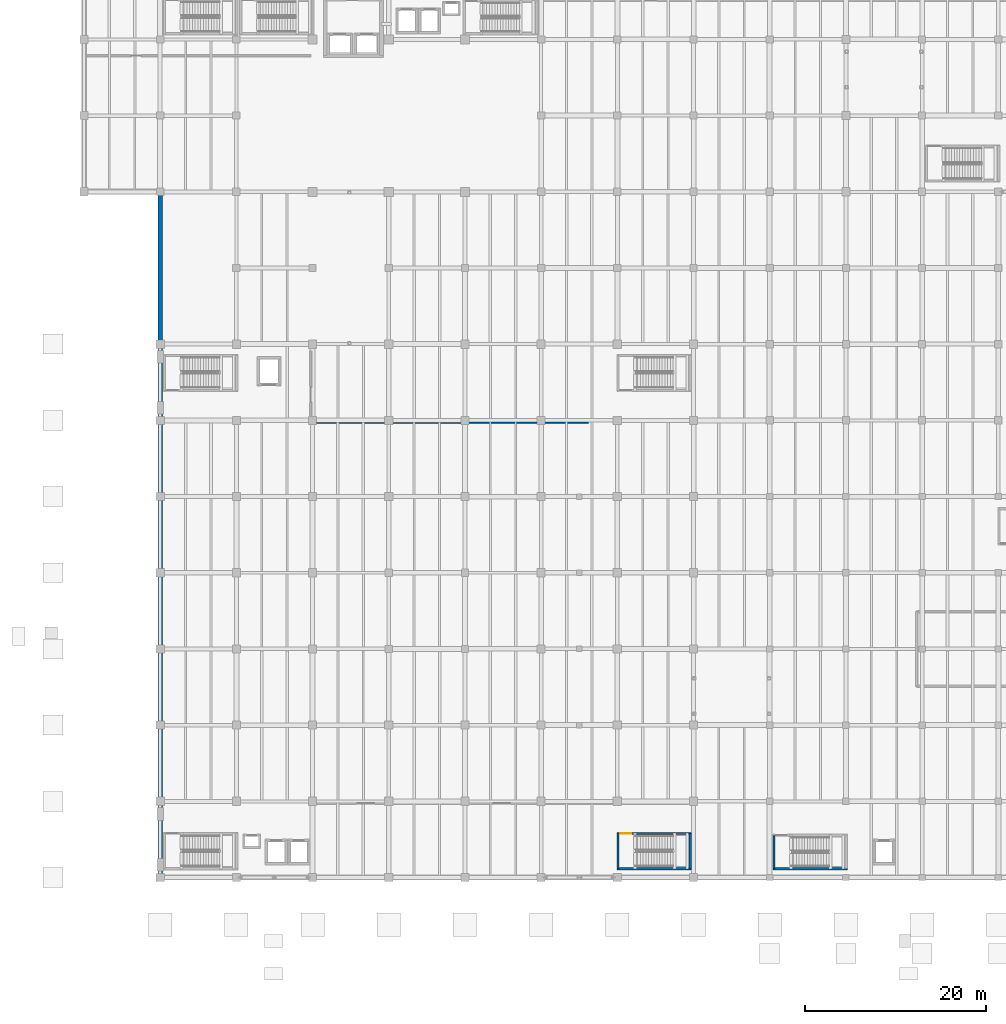
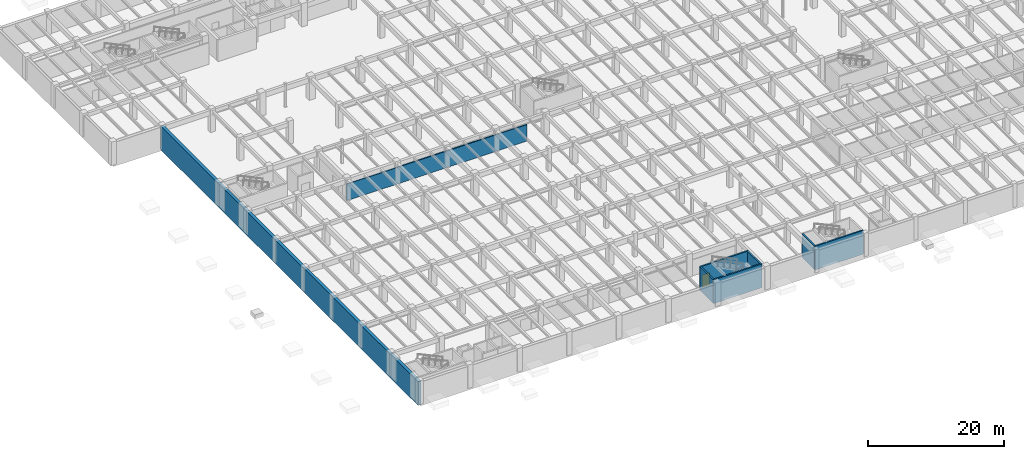
# One storey, part 35 of 63: 8 walls, 1 door, 1 opening.
"""IFC4 building model written with IfcOpenShell, lengths in metres."""

from ifc_helpers import new_model, si_unit, direction, frame, frame_2d, origin, place, context, subcontext, project, spatial, rectangle, extrude, material, layer, layer_set, type_object, element, fill, save


model = new_model("IFC4")

# Units and contexts
model_context = context("Model", 3, precision=1e-05, world=origin(), true_north=direction((0.0, 1.0)))
body_context = subcontext(model_context, "Body", "Model", "MODEL_VIEW")
ifc_project = project(units=[si_unit("LENGTHUNIT", "METRE"), si_unit("AREAUNIT", "SQUARE_METRE"), si_unit("VOLUMEUNIT", "CUBIC_METRE"), si_unit("PLANEANGLEUNIT", "RADIAN"), si_unit("MASSUNIT", "GRAM", prefix="KILO")], contexts=[model_context])

# Site, building, storey
site_placement = place(None, origin())
site = spatial("IfcSite", under=ifc_project, at=site_placement, CompositionType="ELEMENT")
building_placement = place(site_placement, origin())
building = spatial("IfcBuilding", under=site, at=building_placement, Name="Cumbredor Promenade Congress Hotel", CompositionType="ELEMENT")
storey_placement = place(building_placement, frame((0.0, 0.0, -4.199951171875)))
storey = spatial("IfcBuildingStorey", under=building, at=storey_placement, Name="B01", CompositionType="ELEMENT", Elevation=-4.199951171875)

# Walls
ifc_material_1 = material(Name="Concrete C40/50", Category="concrete")
ifc_layer_1 = layer(ifc_material_1, 0.5, Name="Concrete C40/50", Category="concrete")
ifc_layer_set_1 = layer_set([ifc_layer_1], Name="Concrete C40/50")
wall_type_1 = type_object("IfcWallType", Name="Basement Retaining Wall 500mm", PredefinedType="USERDEFINED", material=ifc_layer_set_1)
wall_1_placement = place(storey_placement, frame((8.39990234375, 84.0, -0.400146484375), z_axis=(0.0, 0.0, 1.0), x_axis=(0.0, -1.0, 0.0)))
element("IfcWall", 1, at=wall_1_placement, inside=storey, type_object=wall_type_1, Name="B01 Basement Retaining Wall RW-B01-08", ObjectType="RETAINING WALL", PredefinedType="USERDEFINED", context=body_context, shape_type="SweptSolid", body=[
    extrude(rectangle(XDim=75.60009765625, YDim=0.5, at=frame_2d((37.800048828125, 0.0))), origin(), (0.0, 0.0, 1.0), 4.25),
])
ifc_layer_2 = layer(ifc_material_1, 0.199951171875, Name="Concrete C40/50", Category="concrete")
ifc_layer_set_2 = layer_set([ifc_layer_2], Name="Concrete C40/50")
wall_type_2 = type_object("IfcWallType", Name="WL-CORE-200", PredefinedType="SOLIDWALL", material=ifc_layer_set_2)
wall_2_placement = place(storey_placement, frame((25.0, 58.60009765625, 0.0), z_axis=(0.0, 0.0, 1.0), x_axis=(1.0, 0.0, 0.0)))
element("IfcWall", 2, at=wall_2_placement, inside=storey, type_object=wall_type_2, Name="B01 Interior Partition W-B01-ELEC-S", PredefinedType="SOLIDWALL", context=body_context, shape_type="SweptSolid", body=[
    extrude(rectangle(XDim=30.60009765625, YDim=0.199951171875, at=frame_2d((15.300048828125, 0.0))), origin(), (0.0, 0.0, 1.0), 2.97998046875),
])
ifc_layer_3 = layer(ifc_material_1, 0.2548828125, Name="Concrete C40/50", Category="concrete")
ifc_layer_set_3 = layer_set([ifc_layer_3], Name="Concrete C40/50")
wall_type_3 = type_object("IfcWallType", Name="WL-SHAFT-250", PredefinedType="SOLIDWALL", material=ifc_layer_set_3)
wall_3_placement = place(storey_placement, frame((58.75244140625, 9.3798828125, -0.400146484375), z_axis=(0.0, 0.0, 1.0), x_axis=(1.0, 0.0, 0.0)))
element("IfcWall", 3, at=wall_3_placement, inside=storey, type_object=wall_type_3, Name="STAIR-ST-05-B01 Shaft Wall South", PredefinedType="SOLIDWALL", context=body_context, shape_type="SweptSolid", body=[
    extrude(rectangle(XDim=8.22509765625, YDim=0.2548828125, at=frame_2d((4.112548828125, 0.0))), origin(), (0.0, 0.0, 1.0), 4.25),
])

# Wall, opening, door
wall_4_placement = place(storey_placement, frame((58.75244140625, 13.25, -0.400146484375), z_axis=(0.0, 0.0, 1.0), x_axis=(1.0, 0.0, 0.0)))
wall_4 = element("IfcWall", 4, at=wall_4_placement, inside=storey, type_object=wall_type_3, Name="STAIR-ST-05-B01 Shaft Wall North", PredefinedType="SOLIDWALL", context=body_context, shape_type="SweptSolid", body=[
    extrude(rectangle(XDim=8.22509765625, YDim=0.2548828125, at=frame_2d((4.112548828125, 0.0))), origin(), (0.0, 0.0, 1.0), 4.25),
])
opening_placement = place(wall_4_placement, frame((0.35009765625, 0.0, 0.39990234375)))
opening = element("IfcOpeningElement", 5, at=opening_placement, cuts=wall_4, Name="Opening SD-02", PredefinedType="OPENING", context=body_context, shape_type="SweptSolid", body=[
    extrude(rectangle(XDim=1.25, YDim=2.199951171875, at=frame_2d((0.625, 1.10009765625))), frame((0.0, 0.137451171875, 0.0), z_axis=(0.0, -1.0, 0.0), x_axis=(1.0, 0.0, 0.0)), (0.0, 0.0, 1.0), 0.27490234375),
])
ifc_material_2 = material(Name="Painted galvanized steel fire door", Category="steel")
door_type = type_object("IfcDoorType", Name="DR-STAIR-FD90-1250", OperationType="NOTDEFINED", PredefinedType="DOOR", material=ifc_material_2)
door_placement = place(opening_placement, origin())
door = element("IfcDoor", 6, at=door_placement, inside=storey, type_object=door_type, Name="B01 Protected Exit Stair ST-05 Door", OperationType="SINGLE_SWING_RIGHT", OverallHeight=2.199951171875, OverallWidth=1.25, PredefinedType="DOOR", context=body_context, shape_type="SweptSolid", body=[
    extrude(rectangle(XDim=1.25, YDim=2.199951171875, at=frame_2d((0.625, 1.10009765625))), frame((0.0, 0.02490234375, 0.0), z_axis=(0.0, -1.0, 0.0), x_axis=(1.0, 0.0, 0.0)), (0.0, 0.0, 1.0), 0.050048828125),
])
fill(opening, door)

# Walls
for number, where, z_axis, x_axis, name in (
    (7, (58.8798828125, 9.3798828125, -0.400146484375), (0.0, 0.0, 1.0), (0.0, 1.0, 0.0), "STAIR-ST-05-B01 Shaft Wall West"),
    (8, (66.85009765625, 9.3798828125, -0.400146484375), (0.0, 0.0, 1.0), (0.0, 1.0, 0.0), "STAIR-ST-05-B01 Shaft Wall East"),
):
    element("IfcWall", number, at=place(storey_placement, frame(where, z_axis=z_axis, x_axis=x_axis)), inside=storey, type_object=wall_type_3, Name=name, PredefinedType="SOLIDWALL", context=body_context, shape_type="SweptSolid", body=[
        extrude(rectangle(XDim=3.8701171875, YDim=0.2548828125, at=frame_2d((1.93505859375, 0.0))), origin(), (0.0, 0.0, 1.0), 4.25),
    ])
wall_5_placement = place(storey_placement, frame((75.952392578125, 9.3798828125, -0.400146484375), z_axis=(0.0, 0.0, 1.0), x_axis=(1.0, 0.0, 0.0)))
element("IfcWall", 9, at=wall_5_placement, inside=storey, type_object=wall_type_3, Name="STAIR-ST-11-B01 Shaft Wall South", PredefinedType="SOLIDWALL", context=body_context, shape_type="SweptSolid", body=[
    extrude(rectangle(XDim=8.22509765625, YDim=0.2548828125, at=frame_2d((4.112548828125, 0.0))), origin(), (0.0, 0.0, 1.0), 4.25),
])
wall_6_placement = place(storey_placement, frame((76.080078125, 9.3798828125, -0.400146484375), z_axis=(0.0, 0.0, 1.0), x_axis=(0.0, 1.0, 0.0)))
element("IfcWall", 10, at=wall_6_placement, inside=storey, type_object=wall_type_3, Name="STAIR-ST-11-B01 Shaft Wall West", PredefinedType="SOLIDWALL", context=body_context, shape_type="SweptSolid", body=[
    extrude(rectangle(XDim=3.670166015625, YDim=0.2548828125, at=frame_2d((1.8349609375, 0.0))), origin(), (0.0, 0.0, 1.0), 4.25),
])

save(model, "model.ifc")
